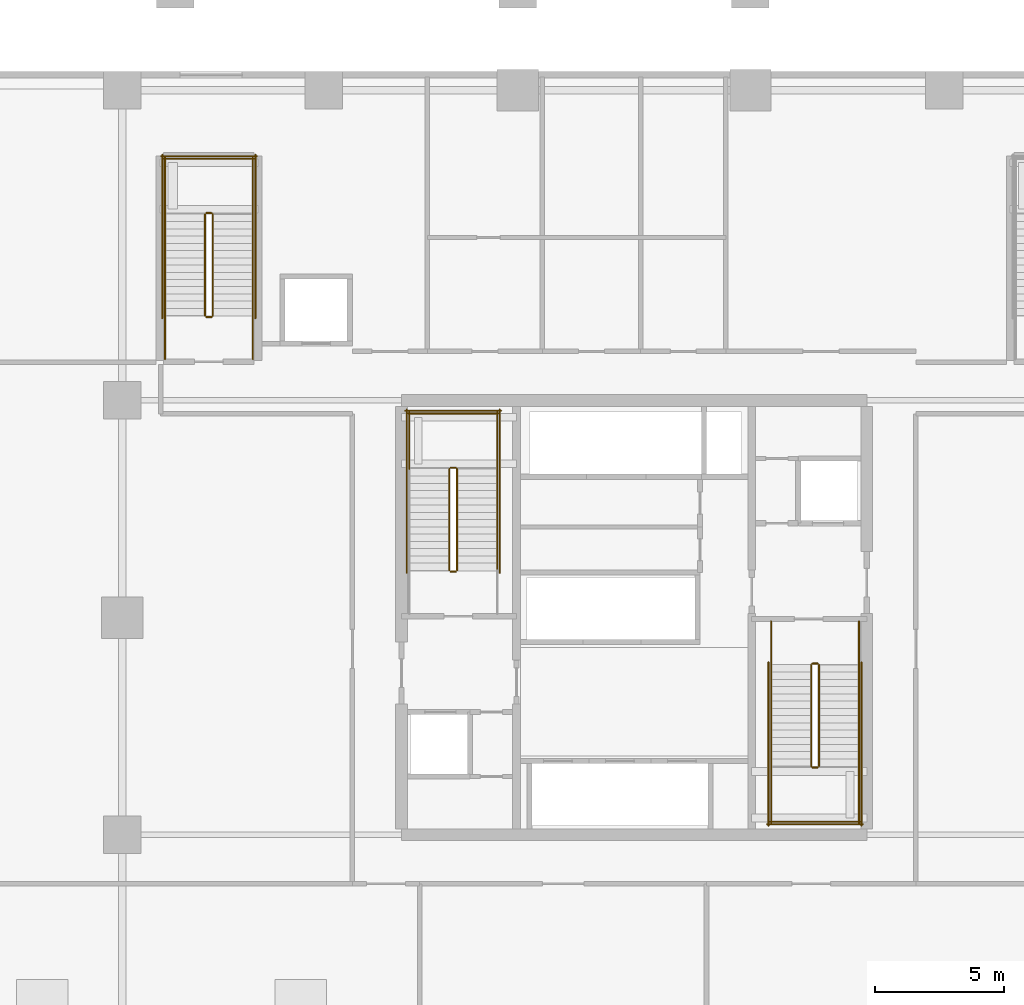
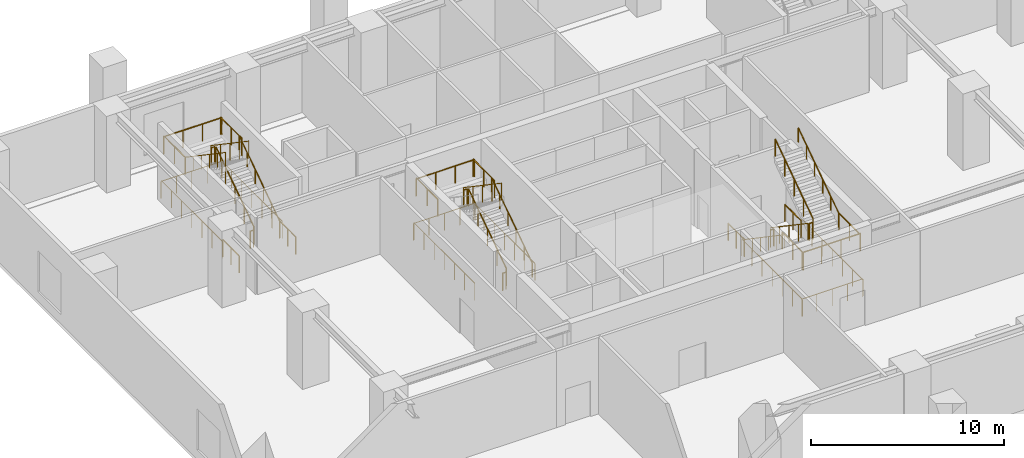
# One storey, part 10 of 12: 39 railings.
"""IFC4 building model written with IfcOpenShell, lengths in metres."""

from ifc_helpers import new_model, si_unit, direction, frame, origin, origin_2d, place, context, subcontext, project, spatial, circle, extrude, material, type_object, element, save


model = new_model("IFC4")

# Units and contexts
model_context = context("Model", 3, precision=1e-05, world=origin(), true_north=direction((0.0, 1.0)))
body_context = subcontext(model_context, "Body", "Model", "MODEL_VIEW")
ifc_project = project(units=[si_unit("LENGTHUNIT", "METRE"), si_unit("AREAUNIT", "SQUARE_METRE"), si_unit("VOLUMEUNIT", "CUBIC_METRE"), si_unit("PLANEANGLEUNIT", "RADIAN"), si_unit("MASSUNIT", "GRAM", prefix="KILO")], contexts=[model_context])

# Site, building, storey
site_placement = place(None, origin())
site = spatial("IfcSite", under=ifc_project, at=site_placement, CompositionType="ELEMENT")
building_placement = place(site_placement, origin())
building = spatial("IfcBuilding", under=site, at=building_placement, Name="Serunith Strait Residences", CompositionType="ELEMENT")
storey_placement = place(building_placement, frame((0.0, 0.0, 15.300048828125)))
storey = spatial("IfcBuildingStorey", under=building, at=storey_placement, Name="L03", CompositionType="ELEMENT", Elevation=15.300048828125)

# Railings
ifc_material = material(Name="Brushed stainless steel 316L", Category="steel")
railing_type_1 = type_object("IfcRailingType", Name="RLG-STAIR-GUARD", PredefinedType="BALUSTRADE", material=ifc_material)
railing_1_placement = place(storey_placement, frame((25.550048828125, 27.030029296875, 0.18994140625)))
element("IfcRailing", 1, at=railing_1_placement, inside=storey, type_object=railing_type_1, Name="L03 ST-1 stair guard 1", PredefinedType="BALUSTRADE", context=body_context, shape_type="SweptSolid", body=[
    extrude(circle(Radius=0.02392578125, at=origin_2d()), frame((0.0, 0.001708984375, 1.0771484375), z_axis=(0.0, 0.827479195178, 0.561496377146), x_axis=(-1.0, 0.0, 0.0)), (0.0, 0.0, 1.0), 4.733154296875),
    extrude(circle(Radius=0.02099609375, at=origin_2d()), origin(), (0.0, 0.0, 1.0), 1.050048828125),
    extrude(circle(Radius=0.02099609375, at=origin_2d()), frame((0.0, 0.97998046875, 0.6650390625)), (0.0, 0.0, 1.0), 1.050048828125),
    extrude(circle(Radius=0.02099609375, at=origin_2d()), frame((0.0, 1.9599609375, 1.330078125)), (0.0, 0.0, 1.0), 1.050048828125),
    extrude(circle(Radius=0.02099609375, at=origin_2d()), frame((0.0, 2.93994140625, 1.994873046875)), (0.0, 0.0, 1.0), 1.050048828125),
    extrude(circle(Radius=0.02099609375, at=origin_2d()), frame((0.0, 3.919921875, 2.659912109375)), (0.0, 0.0, 1.0), 1.050048828125),
])
railing_2_placement = place(storey_placement, frame((25.5, 31.0, 2.849853515625)))
element("IfcRailing", 2, at=railing_2_placement, inside=storey, type_object=railing_type_1, Name="L03 ST-1 stair guard 2", PredefinedType="BALUSTRADE", context=body_context, shape_type="SweptSolid", body=[
    extrude(circle(Radius=0.02392578125, at=origin_2d()), frame((-0.001953125, 0.0, 1.076171875), z_axis=(-1.0, 0.0, 0.0), x_axis=(0.0, -1.0, 0.0)), (0.0, 0.0, 1.0), 0.196044921875),
    extrude(circle(Radius=0.02099609375, at=origin_2d()), origin(), (0.0, 0.0, 1.0), 1.050048828125),
    extrude(circle(Radius=0.02099609375, at=origin_2d()), frame((-0.199951171875, 0.0, 0.0)), (0.0, 0.0, 1.0), 1.050048828125),
])
for number, where, name in (
    (3, (27.10009765625, 30.949951171875, 2.849853515625), "L03 ST-1 stair guard 3"),
    (4, (23.699951171875, 30.949951171875, 2.849853515625), "L03 ST-1 stair guard 4"),
):
    element("IfcRailing", number, at=place(storey_placement, frame(where)), inside=storey, type_object=railing_type_1, Name=name, PredefinedType="BALUSTRADE", context=body_context, shape_type="SweptSolid", body=[
        extrude(circle(Radius=0.02392578125, at=origin_2d()), frame((0.0, 0.001953125, 1.076171875), z_axis=(0.0, 1.0, 0.0), x_axis=(-1.0, 0.0, 0.0)), (0.0, 0.0, 1.0), 2.196044921875),
        extrude(circle(Radius=0.02099609375, at=origin_2d()), origin(), (0.0, 0.0, 1.0), 1.050048828125),
        extrude(circle(Radius=0.02099609375, at=origin_2d()), frame((0.0, 1.10009765625, 0.0)), (0.0, 0.0, 1.0), 1.050048828125),
        extrude(circle(Radius=0.02099609375, at=origin_2d()), frame((0.0, 2.199951171875, 0.0)), (0.0, 0.0, 1.0), 1.050048828125),
    ])
railing_3_placement = place(storey_placement, frame((27.14990234375, 33.10009765625, 2.849853515625)))
element("IfcRailing", 5, at=railing_3_placement, inside=storey, type_object=railing_type_1, Name="L03 ST-1 stair guard 5", PredefinedType="BALUSTRADE", context=body_context, shape_type="SweptSolid", body=[
    extrude(circle(Radius=0.02392578125, at=origin_2d()), frame((-0.001953125, 0.0, 1.076171875), z_axis=(-1.0, 0.0, 0.0), x_axis=(0.0, -1.0, 0.0)), (0.0, 0.0, 1.0), 3.49609375),
    extrude(circle(Radius=0.02099609375, at=origin_2d()), origin(), (0.0, 0.0, 1.0), 1.050048828125),
    extrude(circle(Radius=0.02099609375, at=origin_2d()), frame((-1.166748046875, 0.0, 0.0)), (0.0, 0.0, 1.0), 1.050048828125),
    extrude(circle(Radius=0.02099609375, at=origin_2d()), frame((-2.333251953125, 0.0, 0.0)), (0.0, 0.0, 1.0), 1.050048828125),
    extrude(circle(Radius=0.02099609375, at=origin_2d()), frame((-3.5, 0.0, 0.0)), (0.0, 0.0, 1.0), 1.050048828125),
])
railing_4_placement = place(storey_placement, frame((25.25, 30.949951171875, 3.0400390625)))
element("IfcRailing", 6, at=railing_4_placement, inside=storey, type_object=railing_type_1, Name="L03 ST-1 stair guard 6", PredefinedType="BALUSTRADE", context=body_context, shape_type="SweptSolid", body=[
    extrude(circle(Radius=0.02392578125, at=origin_2d()), frame((0.0, -0.001708984375, 1.0771484375), z_axis=(0.0, -0.827479195178, 0.561496377146), x_axis=(1.0, 0.0, 0.0)), (0.0, 0.0, 1.0), 4.733154296875),
    extrude(circle(Radius=0.02099609375, at=origin_2d()), origin(), (0.0, 0.0, 1.0), 1.050048828125),
    extrude(circle(Radius=0.02099609375, at=origin_2d()), frame((0.0, -0.97998046875, 0.6650390625)), (0.0, 0.0, 1.0), 1.050048828125),
    extrude(circle(Radius=0.02099609375, at=origin_2d()), frame((0.0, -1.9599609375, 1.330078125)), (0.0, 0.0, 1.0), 1.050048828125),
    extrude(circle(Radius=0.02099609375, at=origin_2d()), frame((0.0, -2.93994140625, 1.994873046875)), (0.0, 0.0, 1.0), 1.050048828125),
    extrude(circle(Radius=0.02099609375, at=origin_2d()), frame((0.0, -3.919921875, 2.659912109375)), (0.0, 0.0, 1.0), 1.050048828125),
])
railing_5_placement = place(storey_placement, frame((25.5, 26.97998046875, 0.0)))
element("IfcRailing", 7, at=railing_5_placement, inside=storey, type_object=railing_type_1, Name="L03 ST-1 stair guard 7", PredefinedType="BALUSTRADE", context=body_context, shape_type="SweptSolid", body=[
    extrude(circle(Radius=0.02392578125, at=origin_2d()), frame((-0.001953125, 0.0, 1.076171875), z_axis=(-1.0, 0.0, 0.0), x_axis=(0.0, -1.0, 0.0)), (0.0, 0.0, 1.0), 0.196044921875),
    extrude(circle(Radius=0.02099609375, at=origin_2d()), origin(), (0.0, 0.0, 1.0), 1.050048828125),
    extrude(circle(Radius=0.02099609375, at=origin_2d()), frame((-0.199951171875, 0.0, 0.0)), (0.0, 0.0, 1.0), 1.050048828125),
])
for number, where, name in (
    (8, (27.199951171875, 26.929931640625, 0.0), "L03 ST-1 stair guard 10"),
    (9, (23.60009765625, 26.929931640625, 0.0), "L03 ST-1 stair guard 11"),
):
    element("IfcRailing", number, at=place(storey_placement, frame(where)), inside=storey, type_object=railing_type_1, Name=name, PredefinedType="BALUSTRADE", context=body_context, shape_type="SweptSolid", body=[
        extrude(circle(Radius=0.02392578125, at=origin_2d()), frame((0.0, 0.001953125, 1.076171875), z_axis=(0.0, 1.0, 0.0), x_axis=(-1.0, 0.0, 0.0)), (0.0, 0.0, 1.0), 6.316162109375),
        extrude(circle(Radius=0.02099609375, at=origin_2d()), origin(), (0.0, 0.0, 1.0), 1.050048828125),
        extrude(circle(Radius=0.02099609375, at=origin_2d()), frame((0.0, 1.05322265625, 0.0)), (0.0, 0.0, 1.0), 1.050048828125),
        extrude(circle(Radius=0.02099609375, at=origin_2d()), frame((0.0, 2.106689453125, 0.0)), (0.0, 0.0, 1.0), 1.050048828125),
        extrude(circle(Radius=0.02099609375, at=origin_2d()), frame((0.0, 3.16015625, 0.0)), (0.0, 0.0, 1.0), 1.050048828125),
        extrude(circle(Radius=0.02099609375, at=origin_2d()), frame((0.0, 4.21337890625, 0.0)), (0.0, 0.0, 1.0), 1.050048828125),
        extrude(circle(Radius=0.02099609375, at=origin_2d()), frame((0.0, 5.2666015625, 0.0)), (0.0, 0.0, 1.0), 1.050048828125),
        extrude(circle(Radius=0.02099609375, at=origin_2d()), frame((0.0, 6.320068359375, 0.0)), (0.0, 0.0, 1.0), 1.050048828125),
    ])
railing_6_placement = place(storey_placement, frame((27.25, 33.199951171875, 0.0)))
element("IfcRailing", 10, at=railing_6_placement, inside=storey, type_object=railing_type_1, Name="L03 ST-1 stair guard 12", PredefinedType="BALUSTRADE", context=body_context, shape_type="SweptSolid", body=[
    extrude(circle(Radius=0.02392578125, at=origin_2d()), frame((-0.001953125, 0.0, 1.076171875), z_axis=(-1.0, 0.0, 0.0), x_axis=(0.0, -1.0, 0.0)), (0.0, 0.0, 1.0), 3.696044921875),
    extrude(circle(Radius=0.02099609375, at=origin_2d()), origin(), (0.0, 0.0, 1.0), 1.050048828125),
    extrude(circle(Radius=0.02099609375, at=origin_2d()), frame((-0.925048828125, 0.0, 0.0)), (0.0, 0.0, 1.0), 1.050048828125),
    extrude(circle(Radius=0.02099609375, at=origin_2d()), frame((-1.85009765625, 0.0, 0.0)), (0.0, 0.0, 1.0), 1.050048828125),
    extrude(circle(Radius=0.02099609375, at=origin_2d()), frame((-2.77490234375, 0.0, 0.0)), (0.0, 0.0, 1.0), 1.050048828125),
    extrude(circle(Radius=0.02099609375, at=origin_2d()), frame((-3.699951171875, 0.0, 0.0)), (0.0, 0.0, 1.0), 1.050048828125),
])
railing_7_placement = place(storey_placement, frame((39.25, 23.3701171875, 0.18994140625)))
element("IfcRailing", 11, at=railing_7_placement, inside=storey, type_object=railing_type_1, Name="L03 ST-2 stair guard 1", PredefinedType="BALUSTRADE", context=body_context, shape_type="SweptSolid", body=[
    extrude(circle(Radius=0.02392578125, at=origin_2d()), frame((0.0, -0.001708984375, 1.0771484375), z_axis=(0.0, -0.827495442652, 0.56147243244), x_axis=(1.0, 0.0, 0.0)), (0.0, 0.0, 1.0), 4.7333984375),
    extrude(circle(Radius=0.02099609375, at=origin_2d()), origin(), (0.0, 0.0, 1.0), 1.050048828125),
    extrude(circle(Radius=0.02099609375, at=origin_2d()), frame((0.0, -0.97998046875, 0.6650390625)), (0.0, 0.0, 1.0), 1.050048828125),
    extrude(circle(Radius=0.02099609375, at=origin_2d()), frame((0.0, -1.9599609375, 1.330078125)), (0.0, 0.0, 1.0), 1.050048828125),
    extrude(circle(Radius=0.02099609375, at=origin_2d()), frame((0.0, -2.940185546875, 1.994873046875)), (0.0, 0.0, 1.0), 1.050048828125),
    extrude(circle(Radius=0.02099609375, at=origin_2d()), frame((0.0, -3.920166015625, 2.659912109375)), (0.0, 0.0, 1.0), 1.050048828125),
])
railing_8_placement = place(storey_placement, frame((39.300048828125, 19.39990234375, 2.849853515625)))
element("IfcRailing", 12, at=railing_8_placement, inside=storey, type_object=railing_type_1, Name="L03 ST-2 stair guard 2", PredefinedType="BALUSTRADE", context=body_context, shape_type="SweptSolid", body=[
    extrude(circle(Radius=0.02392578125, at=origin_2d()), frame((0.001953125, 0.0, 1.076171875), z_axis=(1.0, 0.0, 0.0), x_axis=(0.0, 1.0, 0.0)), (0.0, 0.0, 1.0), 0.196044921875),
    extrude(circle(Radius=0.02099609375, at=origin_2d()), origin(), (0.0, 0.0, 1.0), 1.050048828125),
    extrude(circle(Radius=0.02099609375, at=origin_2d()), frame((0.199951171875, 0.0, 0.0)), (0.0, 0.0, 1.0), 1.050048828125),
])
for number, where, name in (
    (13, (37.699951171875, 19.449951171875, 2.849853515625), "L03 ST-2 stair guard 3"),
    (14, (41.10009765625, 19.449951171875, 2.849853515625), "L03 ST-2 stair guard 4"),
):
    element("IfcRailing", number, at=place(storey_placement, frame(where)), inside=storey, type_object=railing_type_1, Name=name, PredefinedType="BALUSTRADE", context=body_context, shape_type="SweptSolid", body=[
        extrude(circle(Radius=0.02392578125, at=origin_2d()), frame((0.0, -0.001953125, 1.076171875), z_axis=(0.0, -1.0, 0.0), x_axis=(1.0, 0.0, 0.0)), (0.0, 0.0, 1.0), 2.196044921875),
        extrude(circle(Radius=0.02099609375, at=origin_2d()), origin(), (0.0, 0.0, 1.0), 1.050048828125),
        extrude(circle(Radius=0.02099609375, at=origin_2d()), frame((0.0, -1.10009765625, 0.0)), (0.0, 0.0, 1.0), 1.050048828125),
        extrude(circle(Radius=0.02099609375, at=origin_2d()), frame((0.0, -2.199951171875, 0.0)), (0.0, 0.0, 1.0), 1.050048828125),
    ])
railing_9_placement = place(storey_placement, frame((37.64990234375, 17.300048828125, 2.849853515625)))
element("IfcRailing", 15, at=railing_9_placement, inside=storey, type_object=railing_type_1, Name="L03 ST-2 stair guard 5", PredefinedType="BALUSTRADE", context=body_context, shape_type="SweptSolid", body=[
    extrude(circle(Radius=0.02392578125, at=origin_2d()), frame((0.001953125, 0.0, 1.076171875), z_axis=(1.0, 0.0, 0.0), x_axis=(0.0, 1.0, 0.0)), (0.0, 0.0, 1.0), 3.49609375),
    extrude(circle(Radius=0.02099609375, at=origin_2d()), origin(), (0.0, 0.0, 1.0), 1.050048828125),
    extrude(circle(Radius=0.02099609375, at=origin_2d()), frame((1.166748046875, 0.0, 0.0)), (0.0, 0.0, 1.0), 1.050048828125),
    extrude(circle(Radius=0.02099609375, at=origin_2d()), frame((2.333251953125, 0.0, 0.0)), (0.0, 0.0, 1.0), 1.050048828125),
    extrude(circle(Radius=0.02099609375, at=origin_2d()), frame((3.5, 0.0, 0.0)), (0.0, 0.0, 1.0), 1.050048828125),
])
railing_10_placement = place(storey_placement, frame((39.550048828125, 19.449951171875, 3.0400390625)))
element("IfcRailing", 16, at=railing_10_placement, inside=storey, type_object=railing_type_1, Name="L03 ST-2 stair guard 6", PredefinedType="BALUSTRADE", context=body_context, shape_type="SweptSolid", body=[
    extrude(circle(Radius=0.02392578125, at=origin_2d()), frame((0.0, 0.001708984375, 1.0771484375), z_axis=(0.0, 0.827495442652, 0.56147243244), x_axis=(-1.0, 0.0, 0.0)), (0.0, 0.0, 1.0), 4.7333984375),
    extrude(circle(Radius=0.02099609375, at=origin_2d()), origin(), (0.0, 0.0, 1.0), 1.050048828125),
    extrude(circle(Radius=0.02099609375, at=origin_2d()), frame((0.0, 0.97998046875, 0.6650390625)), (0.0, 0.0, 1.0), 1.050048828125),
    extrude(circle(Radius=0.02099609375, at=origin_2d()), frame((0.0, 1.9599609375, 1.330078125)), (0.0, 0.0, 1.0), 1.050048828125),
    extrude(circle(Radius=0.02099609375, at=origin_2d()), frame((0.0, 2.940185546875, 1.994873046875)), (0.0, 0.0, 1.0), 1.050048828125),
    extrude(circle(Radius=0.02099609375, at=origin_2d()), frame((0.0, 3.920166015625, 2.659912109375)), (0.0, 0.0, 1.0), 1.050048828125),
])
railing_11_placement = place(storey_placement, frame((39.300048828125, 23.419921875, 0.0)))
element("IfcRailing", 17, at=railing_11_placement, inside=storey, type_object=railing_type_1, Name="L03 ST-2 stair guard 7", PredefinedType="BALUSTRADE", context=body_context, shape_type="SweptSolid", body=[
    extrude(circle(Radius=0.02392578125, at=origin_2d()), frame((0.001953125, 0.0, 1.076171875), z_axis=(1.0, 0.0, 0.0), x_axis=(0.0, 1.0, 0.0)), (0.0, 0.0, 1.0), 0.196044921875),
    extrude(circle(Radius=0.02099609375, at=origin_2d()), origin(), (0.0, 0.0, 1.0), 1.050048828125),
    extrude(circle(Radius=0.02099609375, at=origin_2d()), frame((0.199951171875, 0.0, 0.0)), (0.0, 0.0, 1.0), 1.050048828125),
])
for number, where, name in (
    (18, (37.699951171875, 25.050048828125, 0.0), "L03 ST-2 stair guard 8"),
    (19, (41.10009765625, 25.050048828125, 0.0), "L03 ST-2 stair guard 9"),
):
    element("IfcRailing", number, at=place(storey_placement, frame(where)), inside=storey, type_object=railing_type_1, Name=name, PredefinedType="BALUSTRADE", context=body_context, shape_type="SweptSolid", body=[
        extrude(circle(Radius=0.02392578125, at=origin_2d()), frame((0.0, -0.001953125, 1.076171875), z_axis=(0.0, -1.0, 0.0), x_axis=(1.0, 0.0, 0.0)), (0.0, 0.0, 1.0), 1.676025390625),
        extrude(circle(Radius=0.02099609375, at=origin_2d()), origin(), (0.0, 0.0, 1.0), 1.050048828125),
        extrude(circle(Radius=0.02099609375, at=origin_2d()), frame((0.0, -0.83984375, 0.0)), (0.0, 0.0, 1.0), 1.050048828125),
        extrude(circle(Radius=0.02099609375, at=origin_2d()), frame((0.0, -1.679931640625, 0.0)), (0.0, 0.0, 1.0), 1.050048828125),
    ])
for number, where, name in (
    (20, (37.60009765625, 23.469970703125, 0.0), "L03 ST-2 stair guard 10"),
    (21, (41.199951171875, 23.469970703125, 0.0), "L03 ST-2 stair guard 11"),
):
    element("IfcRailing", number, at=place(storey_placement, frame(where)), inside=storey, type_object=railing_type_1, Name=name, PredefinedType="BALUSTRADE", context=body_context, shape_type="SweptSolid", body=[
        extrude(circle(Radius=0.02392578125, at=origin_2d()), frame((0.0, -0.001953125, 1.076171875), z_axis=(0.0, -1.0, 0.0), x_axis=(1.0, 0.0, 0.0)), (0.0, 0.0, 1.0), 6.316162109375),
        extrude(circle(Radius=0.02099609375, at=origin_2d()), origin(), (0.0, 0.0, 1.0), 1.050048828125),
        extrude(circle(Radius=0.02099609375, at=origin_2d()), frame((0.0, -1.05322265625, 0.0)), (0.0, 0.0, 1.0), 1.050048828125),
        extrude(circle(Radius=0.02099609375, at=origin_2d()), frame((0.0, -2.106689453125, 0.0)), (0.0, 0.0, 1.0), 1.050048828125),
        extrude(circle(Radius=0.02099609375, at=origin_2d()), frame((0.0, -3.16015625, 0.0)), (0.0, 0.0, 1.0), 1.050048828125),
        extrude(circle(Radius=0.02099609375, at=origin_2d()), frame((0.0, -4.21337890625, 0.0)), (0.0, 0.0, 1.0), 1.050048828125),
        extrude(circle(Radius=0.02099609375, at=origin_2d()), frame((0.0, -5.2666015625, 0.0)), (0.0, 0.0, 1.0), 1.050048828125),
        extrude(circle(Radius=0.02099609375, at=origin_2d()), frame((0.0, -6.320068359375, 0.0)), (0.0, 0.0, 1.0), 1.050048828125),
    ])
railing_12_placement = place(storey_placement, frame((37.550048828125, 17.199951171875, 0.0)))
element("IfcRailing", 22, at=railing_12_placement, inside=storey, type_object=railing_type_1, Name="L03 ST-2 stair guard 12", PredefinedType="BALUSTRADE", context=body_context, shape_type="SweptSolid", body=[
    extrude(circle(Radius=0.02392578125, at=origin_2d()), frame((0.001953125, 0.0, 1.076171875), z_axis=(1.0, 0.0, 0.0), x_axis=(0.0, 1.0, 0.0)), (0.0, 0.0, 1.0), 3.696044921875),
    extrude(circle(Radius=0.02099609375, at=origin_2d()), origin(), (0.0, 0.0, 1.0), 1.050048828125),
    extrude(circle(Radius=0.02099609375, at=origin_2d()), frame((0.925048828125, 0.0, 0.0)), (0.0, 0.0, 1.0), 1.050048828125),
    extrude(circle(Radius=0.02099609375, at=origin_2d()), frame((1.85009765625, 0.0, 0.0)), (0.0, 0.0, 1.0), 1.050048828125),
    extrude(circle(Radius=0.02099609375, at=origin_2d()), frame((2.77490234375, 0.0, 0.0)), (0.0, 0.0, 1.0), 1.050048828125),
    extrude(circle(Radius=0.02099609375, at=origin_2d()), frame((3.699951171875, 0.0, 0.0)), (0.0, 0.0, 1.0), 1.050048828125),
])
railing_13_placement = place(storey_placement, frame((16.10009765625, 36.8798828125, 0.18994140625)))
element("IfcRailing", 23, at=railing_13_placement, inside=storey, type_object=railing_type_1, Name="L03 ST-3 stair guard 1", PredefinedType="BALUSTRADE", context=body_context, shape_type="SweptSolid", body=[
    extrude(circle(Radius=0.02392578125, at=origin_2d()), frame((0.0, 0.001708984375, 1.0771484375), z_axis=(0.0, 0.827495442652, 0.56147243244), x_axis=(-1.0, 0.0, 0.0)), (0.0, 0.0, 1.0), 4.7333984375),
    extrude(circle(Radius=0.02099609375, at=origin_2d()), origin(), (0.0, 0.0, 1.0), 1.050048828125),
    extrude(circle(Radius=0.02099609375, at=origin_2d()), frame((0.0, 0.97998046875, 0.6650390625)), (0.0, 0.0, 1.0), 1.050048828125),
    extrude(circle(Radius=0.02099609375, at=origin_2d()), frame((0.0, 1.9599609375, 1.330078125)), (0.0, 0.0, 1.0), 1.050048828125),
    extrude(circle(Radius=0.02099609375, at=origin_2d()), frame((0.0, 2.940185546875, 1.994873046875)), (0.0, 0.0, 1.0), 1.050048828125),
    extrude(circle(Radius=0.02099609375, at=origin_2d()), frame((0.0, 3.920166015625, 2.659912109375)), (0.0, 0.0, 1.0), 1.050048828125),
])
railing_14_placement = place(storey_placement, frame((16.050048828125, 40.85009765625, 2.849853515625)))
element("IfcRailing", 24, at=railing_14_placement, inside=storey, type_object=railing_type_1, Name="L03 ST-3 stair guard 2", PredefinedType="BALUSTRADE", context=body_context, shape_type="SweptSolid", body=[
    extrude(circle(Radius=0.02392578125, at=origin_2d()), frame((-0.001953125, 0.0, 1.076171875), z_axis=(-1.0, 0.0, 0.0), x_axis=(0.0, -1.0, 0.0)), (0.0, 0.0, 1.0), 0.196044921875),
    extrude(circle(Radius=0.02099609375, at=origin_2d()), origin(), (0.0, 0.0, 1.0), 1.050048828125),
    extrude(circle(Radius=0.02099609375, at=origin_2d()), frame((-0.199951171875, 0.0, 0.0)), (0.0, 0.0, 1.0), 1.050048828125),
])
for number, where, name in (
    (25, (17.64990234375, 40.800048828125, 2.849853515625), "L03 ST-3 stair guard 3"),
    (26, (14.25, 40.800048828125, 2.849853515625), "L03 ST-3 stair guard 4"),
):
    element("IfcRailing", number, at=place(storey_placement, frame(where)), inside=storey, type_object=railing_type_1, Name=name, PredefinedType="BALUSTRADE", context=body_context, shape_type="SweptSolid", body=[
        extrude(circle(Radius=0.02392578125, at=origin_2d()), frame((0.0, 0.001953125, 1.076171875), z_axis=(0.0, 1.0, 0.0), x_axis=(-1.0, 0.0, 0.0)), (0.0, 0.0, 1.0), 2.196044921875),
        extrude(circle(Radius=0.02099609375, at=origin_2d()), origin(), (0.0, 0.0, 1.0), 1.050048828125),
        extrude(circle(Radius=0.02099609375, at=origin_2d()), frame((0.0, 1.10009765625, 0.0)), (0.0, 0.0, 1.0), 1.050048828125),
        extrude(circle(Radius=0.02099609375, at=origin_2d()), frame((0.0, 2.199951171875, 0.0)), (0.0, 0.0, 1.0), 1.050048828125),
    ])
railing_15_placement = place(storey_placement, frame((17.699951171875, 42.949951171875, 2.849853515625)))
element("IfcRailing", 27, at=railing_15_placement, inside=storey, type_object=railing_type_1, Name="L03 ST-3 stair guard 5", PredefinedType="BALUSTRADE", context=body_context, shape_type="SweptSolid", body=[
    extrude(circle(Radius=0.02392578125, at=origin_2d()), frame((-0.001953125, 0.0, 1.076171875), z_axis=(-1.0, 0.0, 0.0), x_axis=(0.0, -1.0, 0.0)), (0.0, 0.0, 1.0), 3.49609375),
    extrude(circle(Radius=0.02099609375, at=origin_2d()), origin(), (0.0, 0.0, 1.0), 1.050048828125),
    extrude(circle(Radius=0.02099609375, at=origin_2d()), frame((-1.166748046875, 0.0, 0.0)), (0.0, 0.0, 1.0), 1.050048828125),
    extrude(circle(Radius=0.02099609375, at=origin_2d()), frame((-2.333251953125, 0.0, 0.0)), (0.0, 0.0, 1.0), 1.050048828125),
    extrude(circle(Radius=0.02099609375, at=origin_2d()), frame((-3.5, 0.0, 0.0)), (0.0, 0.0, 1.0), 1.050048828125),
])
railing_16_placement = place(storey_placement, frame((15.800048828125, 40.800048828125, 3.0400390625)))
element("IfcRailing", 28, at=railing_16_placement, inside=storey, type_object=railing_type_1, Name="L03 ST-3 stair guard 6", PredefinedType="BALUSTRADE", context=body_context, shape_type="SweptSolid", body=[
    extrude(circle(Radius=0.02392578125, at=origin_2d()), frame((0.0, -0.001708984375, 1.0771484375), z_axis=(0.0, -0.827495442652, 0.56147243244), x_axis=(1.0, 0.0, 0.0)), (0.0, 0.0, 1.0), 4.7333984375),
    extrude(circle(Radius=0.02099609375, at=origin_2d()), origin(), (0.0, 0.0, 1.0), 1.050048828125),
    extrude(circle(Radius=0.02099609375, at=origin_2d()), frame((0.0, -0.97998046875, 0.6650390625)), (0.0, 0.0, 1.0), 1.050048828125),
    extrude(circle(Radius=0.02099609375, at=origin_2d()), frame((0.0, -1.9599609375, 1.330078125)), (0.0, 0.0, 1.0), 1.050048828125),
    extrude(circle(Radius=0.02099609375, at=origin_2d()), frame((0.0, -2.940185546875, 1.994873046875)), (0.0, 0.0, 1.0), 1.050048828125),
    extrude(circle(Radius=0.02099609375, at=origin_2d()), frame((0.0, -3.920166015625, 2.659912109375)), (0.0, 0.0, 1.0), 1.050048828125),
])
railing_17_placement = place(storey_placement, frame((16.050048828125, 36.830078125, 0.0)))
element("IfcRailing", 29, at=railing_17_placement, inside=storey, type_object=railing_type_1, Name="L03 ST-3 stair guard 7", PredefinedType="BALUSTRADE", context=body_context, shape_type="SweptSolid", body=[
    extrude(circle(Radius=0.02392578125, at=origin_2d()), frame((-0.001953125, 0.0, 1.076171875), z_axis=(-1.0, 0.0, 0.0), x_axis=(0.0, -1.0, 0.0)), (0.0, 0.0, 1.0), 0.196044921875),
    extrude(circle(Radius=0.02099609375, at=origin_2d()), origin(), (0.0, 0.0, 1.0), 1.050048828125),
    extrude(circle(Radius=0.02099609375, at=origin_2d()), frame((-0.199951171875, 0.0, 0.0)), (0.0, 0.0, 1.0), 1.050048828125),
])
for number, where, name in (
    (30, (17.64990234375, 35.199951171875, 0.0), "L03 ST-3 stair guard 8"),
    (31, (14.25, 35.199951171875, 0.0), "L03 ST-3 stair guard 9"),
):
    element("IfcRailing", number, at=place(storey_placement, frame(where)), inside=storey, type_object=railing_type_1, Name=name, PredefinedType="BALUSTRADE", context=body_context, shape_type="SweptSolid", body=[
        extrude(circle(Radius=0.02392578125, at=origin_2d()), frame((0.0, 0.001953125, 1.076171875), z_axis=(0.0, 1.0, 0.0), x_axis=(-1.0, 0.0, 0.0)), (0.0, 0.0, 1.0), 1.676025390625),
        extrude(circle(Radius=0.02099609375, at=origin_2d()), origin(), (0.0, 0.0, 1.0), 1.050048828125),
        extrude(circle(Radius=0.02099609375, at=origin_2d()), frame((0.0, 0.83984375, 0.0)), (0.0, 0.0, 1.0), 1.050048828125),
        extrude(circle(Radius=0.02099609375, at=origin_2d()), frame((0.0, 1.679931640625, 0.0)), (0.0, 0.0, 1.0), 1.050048828125),
    ])
for number, where, name in (
    (32, (17.75, 36.780029296875, 0.0), "L03 ST-3 stair guard 10"),
    (33, (14.14990234375, 36.780029296875, 0.0), "L03 ST-3 stair guard 11"),
):
    element("IfcRailing", number, at=place(storey_placement, frame(where)), inside=storey, type_object=railing_type_1, Name=name, PredefinedType="BALUSTRADE", context=body_context, shape_type="SweptSolid", body=[
        extrude(circle(Radius=0.02392578125, at=origin_2d()), frame((0.0, 0.001953125, 1.076171875), z_axis=(0.0, 1.0, 0.0), x_axis=(-1.0, 0.0, 0.0)), (0.0, 0.0, 1.0), 6.316162109375),
        extrude(circle(Radius=0.02099609375, at=origin_2d()), origin(), (0.0, 0.0, 1.0), 1.050048828125),
        extrude(circle(Radius=0.02099609375, at=origin_2d()), frame((0.0, 1.05322265625, 0.0)), (0.0, 0.0, 1.0), 1.050048828125),
        extrude(circle(Radius=0.02099609375, at=origin_2d()), frame((0.0, 2.106689453125, 0.0)), (0.0, 0.0, 1.0), 1.050048828125),
        extrude(circle(Radius=0.02099609375, at=origin_2d()), frame((0.0, 3.16015625, 0.0)), (0.0, 0.0, 1.0), 1.050048828125),
        extrude(circle(Radius=0.02099609375, at=origin_2d()), frame((0.0, 4.21337890625, 0.0)), (0.0, 0.0, 1.0), 1.050048828125),
        extrude(circle(Radius=0.02099609375, at=origin_2d()), frame((0.0, 5.2666015625, 0.0)), (0.0, 0.0, 1.0), 1.050048828125),
        extrude(circle(Radius=0.02099609375, at=origin_2d()), frame((0.0, 6.320068359375, 0.0)), (0.0, 0.0, 1.0), 1.050048828125),
    ])
railing_18_placement = place(storey_placement, frame((17.800048828125, 43.050048828125, 0.0)))
element("IfcRailing", 34, at=railing_18_placement, inside=storey, type_object=railing_type_1, Name="L03 ST-3 stair guard 12", PredefinedType="BALUSTRADE", context=body_context, shape_type="SweptSolid", body=[
    extrude(circle(Radius=0.02392578125, at=origin_2d()), frame((-0.001953125, 0.0, 1.076171875), z_axis=(-1.0, 0.0, 0.0), x_axis=(0.0, -1.0, 0.0)), (0.0, 0.0, 1.0), 3.696044921875),
    extrude(circle(Radius=0.02099609375, at=origin_2d()), origin(), (0.0, 0.0, 1.0), 1.050048828125),
    extrude(circle(Radius=0.02099609375, at=origin_2d()), frame((-0.925048828125, 0.0, 0.0)), (0.0, 0.0, 1.0), 1.050048828125),
    extrude(circle(Radius=0.02099609375, at=origin_2d()), frame((-1.85009765625, 0.0, 0.0)), (0.0, 0.0, 1.0), 1.050048828125),
    extrude(circle(Radius=0.02099609375, at=origin_2d()), frame((-2.77490234375, 0.0, 0.0)), (0.0, 0.0, 1.0), 1.050048828125),
    extrude(circle(Radius=0.02099609375, at=origin_2d()), frame((-3.699951171875, 0.0, 0.0)), (0.0, 0.0, 1.0), 1.050048828125),
])
railing_type_2 = type_object("IfcRailingType", Name="RLG-STAIR-HR", PredefinedType="HANDRAIL", material=ifc_material)
railing_19_placement = place(storey_placement, frame((27.10009765625, 27.030029296875, 0.18994140625)))
element("IfcRailing", 35, at=railing_19_placement, inside=storey, type_object=railing_type_2, Name="L03 ST-1 stair handrail 1", PredefinedType="HANDRAIL", context=body_context, shape_type="SweptSolid", body=[
    extrude(circle(Radius=0.02392578125, at=origin_2d()), frame((0.0, 0.001708984375, 0.876953125), z_axis=(0.0, 0.827016801072, 0.562177205821), x_axis=(-1.0, 0.0, 0.0)), (0.0, 0.0, 1.0), 5.074462890625),
    extrude(circle(Radius=0.02099609375, at=origin_2d()), origin(), (0.0, 0.0, 1.0), 0.849853515625),
    extrude(circle(Radius=0.02099609375, at=origin_2d()), frame((0.0, 0.840087890625, 0.571044921875)), (0.0, 0.0, 1.0), 0.849853515625),
    extrude(circle(Radius=0.02099609375, at=origin_2d()), frame((0.0, 1.679931640625, 1.14208984375)), (0.0, 0.0, 1.0), 0.849853515625),
    extrude(circle(Radius=0.02099609375, at=origin_2d()), frame((0.0, 2.52001953125, 1.712890625)), (0.0, 0.0, 1.0), 0.849853515625),
    extrude(circle(Radius=0.02099609375, at=origin_2d()), frame((0.0, 3.35986328125, 2.283935546875)), (0.0, 0.0, 1.0), 0.849853515625),
    extrude(circle(Radius=0.02099609375, at=origin_2d()), frame((0.0, 4.199951171875, 2.85498046875)), (0.0, 0.0, 1.0), 0.849853515625),
])
railing_20_placement = place(storey_placement, frame((37.699951171875, 23.3701171875, 0.18994140625)))
element("IfcRailing", 36, at=railing_20_placement, inside=storey, type_object=railing_type_2, Name="L03 ST-2 stair handrail 1", PredefinedType="HANDRAIL", context=body_context, shape_type="SweptSolid", body=[
    extrude(circle(Radius=0.02392578125, at=origin_2d()), frame((0.0, -0.001708984375, 0.876953125), z_axis=(0.0, -0.827031993623, 0.562154855466), x_axis=(1.0, 0.0, 0.0)), (0.0, 0.0, 1.0), 5.07470703125),
    extrude(circle(Radius=0.02099609375, at=origin_2d()), origin(), (0.0, 0.0, 1.0), 0.849853515625),
    extrude(circle(Radius=0.02099609375, at=origin_2d()), frame((0.0, -0.840087890625, 0.571044921875)), (0.0, 0.0, 1.0), 0.849853515625),
    extrude(circle(Radius=0.02099609375, at=origin_2d()), frame((0.0, -1.68017578125, 1.14208984375)), (0.0, 0.0, 1.0), 0.849853515625),
    extrude(circle(Radius=0.02099609375, at=origin_2d()), frame((0.0, -2.52001953125, 1.712890625)), (0.0, 0.0, 1.0), 0.849853515625),
    extrude(circle(Radius=0.02099609375, at=origin_2d()), frame((0.0, -3.360107421875, 2.283935546875)), (0.0, 0.0, 1.0), 0.849853515625),
    extrude(circle(Radius=0.02099609375, at=origin_2d()), frame((0.0, -4.2001953125, 2.85498046875)), (0.0, 0.0, 1.0), 0.849853515625),
])
railing_21_placement = place(storey_placement, frame((41.10009765625, 19.449951171875, 3.0400390625)))
element("IfcRailing", 37, at=railing_21_placement, inside=storey, type_object=railing_type_2, Name="L03 ST-2 stair handrail 2", PredefinedType="HANDRAIL", context=body_context, shape_type="SweptSolid", body=[
    extrude(circle(Radius=0.02392578125, at=origin_2d()), frame((0.0, 0.001708984375, 0.876953125), z_axis=(0.0, 0.827016801072, 0.562177205821), x_axis=(-1.0, 0.0, 0.0)), (0.0, 0.0, 1.0), 5.074462890625),
    extrude(circle(Radius=0.02099609375, at=origin_2d()), origin(), (0.0, 0.0, 1.0), 0.849853515625),
    extrude(circle(Radius=0.02099609375, at=origin_2d()), frame((0.0, 0.840087890625, 0.571044921875)), (0.0, 0.0, 1.0), 0.849853515625),
    extrude(circle(Radius=0.02099609375, at=origin_2d()), frame((0.0, 1.679931640625, 1.14208984375)), (0.0, 0.0, 1.0), 0.849853515625),
    extrude(circle(Radius=0.02099609375, at=origin_2d()), frame((0.0, 2.52001953125, 1.712890625)), (0.0, 0.0, 1.0), 0.849853515625),
    extrude(circle(Radius=0.02099609375, at=origin_2d()), frame((0.0, 3.35986328125, 2.283935546875)), (0.0, 0.0, 1.0), 0.849853515625),
    extrude(circle(Radius=0.02099609375, at=origin_2d()), frame((0.0, 4.199951171875, 2.85498046875)), (0.0, 0.0, 1.0), 0.849853515625),
])
railing_22_placement = place(storey_placement, frame((17.64990234375, 36.8798828125, 0.18994140625)))
element("IfcRailing", 38, at=railing_22_placement, inside=storey, type_object=railing_type_2, Name="L03 ST-3 stair handrail 1", PredefinedType="HANDRAIL", context=body_context, shape_type="SweptSolid", body=[
    extrude(circle(Radius=0.02392578125, at=origin_2d()), frame((0.0, 0.001708984375, 0.876953125), z_axis=(0.0, 0.827031993623, 0.562154855466), x_axis=(-1.0, 0.0, 0.0)), (0.0, 0.0, 1.0), 5.07470703125),
    extrude(circle(Radius=0.02099609375, at=origin_2d()), origin(), (0.0, 0.0, 1.0), 0.849853515625),
    extrude(circle(Radius=0.02099609375, at=origin_2d()), frame((0.0, 0.840087890625, 0.571044921875)), (0.0, 0.0, 1.0), 0.849853515625),
    extrude(circle(Radius=0.02099609375, at=origin_2d()), frame((0.0, 1.68017578125, 1.14208984375)), (0.0, 0.0, 1.0), 0.849853515625),
    extrude(circle(Radius=0.02099609375, at=origin_2d()), frame((0.0, 2.52001953125, 1.712890625)), (0.0, 0.0, 1.0), 0.849853515625),
    extrude(circle(Radius=0.02099609375, at=origin_2d()), frame((0.0, 3.360107421875, 2.283935546875)), (0.0, 0.0, 1.0), 0.849853515625),
    extrude(circle(Radius=0.02099609375, at=origin_2d()), frame((0.0, 4.2001953125, 2.85498046875)), (0.0, 0.0, 1.0), 0.849853515625),
])
railing_23_placement = place(storey_placement, frame((14.25, 40.800048828125, 3.0400390625)))
element("IfcRailing", 39, at=railing_23_placement, inside=storey, type_object=railing_type_2, Name="L03 ST-3 stair handrail 2", PredefinedType="HANDRAIL", context=body_context, shape_type="SweptSolid", body=[
    extrude(circle(Radius=0.02392578125, at=origin_2d()), frame((0.0, -0.001708984375, 0.876953125), z_axis=(0.0, -0.827016801072, 0.562177205821), x_axis=(1.0, 0.0, 0.0)), (0.0, 0.0, 1.0), 5.074462890625),
    extrude(circle(Radius=0.02099609375, at=origin_2d()), origin(), (0.0, 0.0, 1.0), 0.849853515625),
    extrude(circle(Radius=0.02099609375, at=origin_2d()), frame((0.0, -0.840087890625, 0.571044921875)), (0.0, 0.0, 1.0), 0.849853515625),
    extrude(circle(Radius=0.02099609375, at=origin_2d()), frame((0.0, -1.679931640625, 1.14208984375)), (0.0, 0.0, 1.0), 0.849853515625),
    extrude(circle(Radius=0.02099609375, at=origin_2d()), frame((0.0, -2.52001953125, 1.712890625)), (0.0, 0.0, 1.0), 0.849853515625),
    extrude(circle(Radius=0.02099609375, at=origin_2d()), frame((0.0, -3.35986328125, 2.283935546875)), (0.0, 0.0, 1.0), 0.849853515625),
    extrude(circle(Radius=0.02099609375, at=origin_2d()), frame((0.0, -4.199951171875, 2.85498046875)), (0.0, 0.0, 1.0), 0.849853515625),
])

save(model, "model.ifc")
